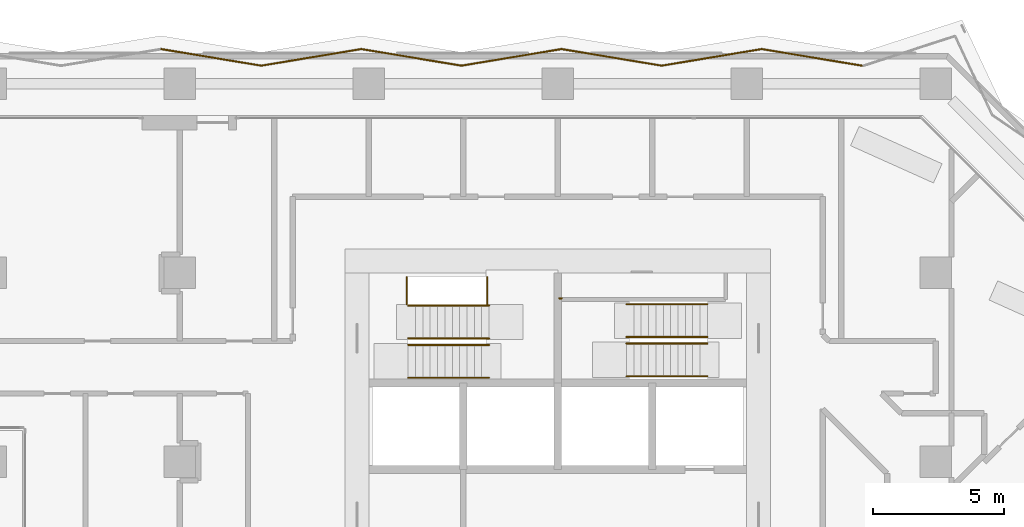
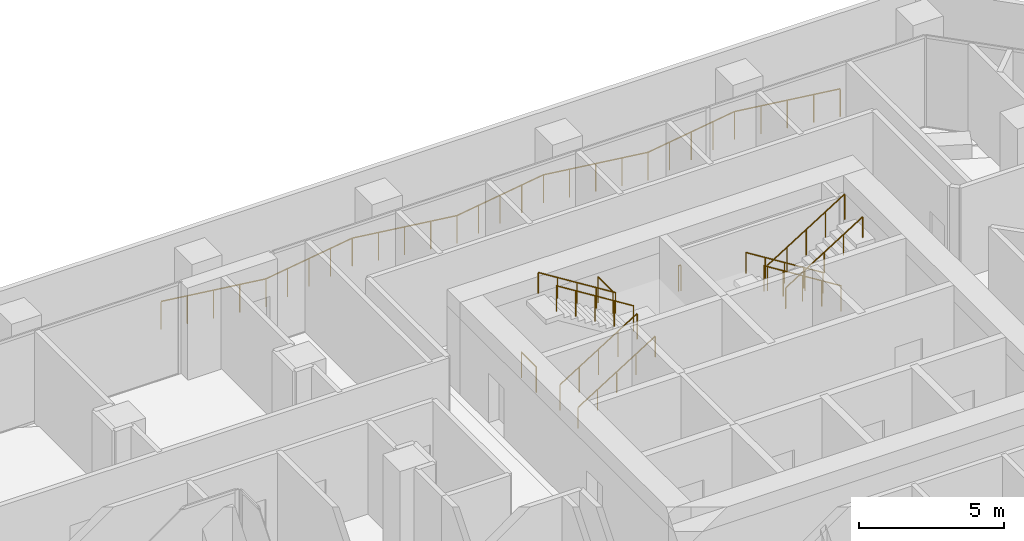
# One storey, part 21 of 24: 18 railings.
"""IFC4 building model written with IfcOpenShell, lengths in metres."""

from ifc_helpers import new_model, si_unit, direction, frame, origin, origin_2d, place, context, subcontext, project, spatial, circle, extrude, material, type_object, element, save


model = new_model("IFC4")

# Units and contexts
model_context = context("Model", 3, precision=1e-05, world=origin(), true_north=direction((0.0, 1.0)))
body_context = subcontext(model_context, "Body", "Model", "MODEL_VIEW")
ifc_project = project(units=[si_unit("LENGTHUNIT", "METRE"), si_unit("AREAUNIT", "SQUARE_METRE"), si_unit("VOLUMEUNIT", "CUBIC_METRE"), si_unit("PLANEANGLEUNIT", "RADIAN"), si_unit("MASSUNIT", "GRAM", prefix="KILO")], contexts=[model_context])

# Site, building, storey
site_placement = place(None, origin())
site = spatial("IfcSite", under=ifc_project, at=site_placement, CompositionType="ELEMENT")
building_placement = place(site_placement, origin())
building = spatial("IfcBuilding", under=site, at=building_placement, Name="Windrow Commons", CompositionType="ELEMENT")
storey_placement = place(building_placement, frame((0.0, 0.0, 67.8)))
storey = spatial("IfcBuildingStorey", under=building, at=storey_placement, Name="L18", CompositionType="ELEMENT", Elevation=67.8)

# Railings
ifc_material_1 = material(Name="Steel S355", Category="steel")
railing_type_1 = type_object("IfcRailingType", Name="Core stair guard 1100", PredefinedType="GUARDRAIL", material=ifc_material_1)
railing_1_placement = place(storey_placement, frame((59.1, 62.05, 0.175)))
element("IfcRailing", 1, at=railing_1_placement, inside=storey, type_object=railing_type_1, Name="L18 ST-A1 stair guard 1", PredefinedType="GUARDRAIL", context=body_context, shape_type="SweptSolid", body=[
    extrude(circle(Radius=0.024, at=origin_2d()), frame((0.0, 0.0, 1.076), z_axis=(0.847998304, 0.0, 0.52999894), x_axis=(0.0, 1.0, 0.0)), (0.0, 0.0, 1.0), 3.6321),
    extrude(circle(Radius=0.021, at=origin_2d()), origin(), (0.0, 0.0, 1.0), 1.052),
    extrude(circle(Radius=0.021, at=origin_2d()), frame((0.77, 0.0, 0.4813)), (0.0, 0.0, 1.0), 1.052),
    extrude(circle(Radius=0.021, at=origin_2d()), frame((1.54, 0.0, 0.9625)), (0.0, 0.0, 1.0), 1.052),
    extrude(circle(Radius=0.021, at=origin_2d()), frame((2.31, 0.0, 1.4438)), (0.0, 0.0, 1.0), 1.052),
    extrude(circle(Radius=0.021, at=origin_2d()), frame((3.08, 0.0, 1.925)), (0.0, 0.0, 1.0), 1.052),
])
railing_2_placement = place(storey_placement, frame((62.18, 62.3, 2.275)))
element("IfcRailing", 2, at=railing_2_placement, inside=storey, type_object=railing_type_1, Name="L18 ST-A1 stair guard 2", PredefinedType="GUARDRAIL", context=body_context, shape_type="SweptSolid", body=[
    extrude(circle(Radius=0.024, at=origin_2d()), frame((0.0, 0.0, 1.076), z_axis=(-0.847998304, 0.0, 0.52999894), x_axis=(0.0, -1.0, 0.0)), (0.0, 0.0, 1.0), 3.6321),
    extrude(circle(Radius=0.021, at=origin_2d()), origin(), (0.0, 0.0, 1.0), 1.052),
    extrude(circle(Radius=0.021, at=origin_2d()), frame((-0.77, 0.0, 0.4812)), (0.0, 0.0, 1.0), 1.052),
    extrude(circle(Radius=0.021, at=origin_2d()), frame((-1.54, 0.0, 0.9625)), (0.0, 0.0, 1.0), 1.052),
    extrude(circle(Radius=0.021, at=origin_2d()), frame((-2.31, 0.0, 1.4437)), (0.0, 0.0, 1.0), 1.052),
    extrude(circle(Radius=0.021, at=origin_2d()), frame((-3.08, 0.0, 1.925)), (0.0, 0.0, 1.0), 1.052),
])
for number, where, name in (
    (3, (59.05, 63.6, 0.0), "L18 ST-A1 stair guard 3"),
    (4, (62.11, 63.6, 2.1), "L18 ST-A1 stair guard 4"),
):
    element("IfcRailing", number, at=place(storey_placement, frame(where)), inside=storey, type_object=railing_type_1, Name=name, PredefinedType="GUARDRAIL", context=body_context, shape_type="SweptSolid", body=[
        extrude(circle(Radius=0.024, at=origin_2d()), frame((0.0, 0.0, 1.076), z_axis=(0.0, 1.0, 0.0), x_axis=(-1.0, 0.0, 0.0)), (0.0, 0.0, 1.0), 1.03),
        extrude(circle(Radius=0.021, at=origin_2d()), origin(), (0.0, 0.0, 1.0), 1.052),
        extrude(circle(Radius=0.021, at=origin_2d()), frame((0.0, 1.03, 0.0)), (0.0, 0.0, 1.0), 1.052),
    ])
railing_3_placement = place(storey_placement, frame((70.5, 62.355, 0.175)))
element("IfcRailing", 5, at=railing_3_placement, inside=storey, type_object=railing_type_1, Name="L18 ST-A2 stair guard 1", PredefinedType="GUARDRAIL", context=body_context, shape_type="SweptSolid", body=[
    extrude(circle(Radius=0.024, at=origin_2d()), frame((0.0, 0.0, 1.076), z_axis=(-0.847998304, 0.0, 0.52999894), x_axis=(0.0, -1.0, 0.0)), (0.0, 0.0, 1.0), 3.6321),
    extrude(circle(Radius=0.021, at=origin_2d()), origin(), (0.0, 0.0, 1.0), 1.052),
    extrude(circle(Radius=0.021, at=origin_2d()), frame((-0.77, 0.0, 0.4813)), (0.0, 0.0, 1.0), 1.052),
    extrude(circle(Radius=0.021, at=origin_2d()), frame((-1.54, 0.0, 0.9625)), (0.0, 0.0, 1.0), 1.052),
    extrude(circle(Radius=0.021, at=origin_2d()), frame((-2.31, 0.0, 1.4438)), (0.0, 0.0, 1.0), 1.052),
    extrude(circle(Radius=0.021, at=origin_2d()), frame((-3.08, 0.0, 1.925)), (0.0, 0.0, 1.0), 1.052),
])
railing_4_placement = place(storey_placement, frame((67.42, 62.105, 2.275)))
element("IfcRailing", 6, at=railing_4_placement, inside=storey, type_object=railing_type_1, Name="L18 ST-A2 stair guard 2", PredefinedType="GUARDRAIL", context=body_context, shape_type="SweptSolid", body=[
    extrude(circle(Radius=0.024, at=origin_2d()), frame((0.0, 0.0, 1.076), z_axis=(0.847998304, 0.0, 0.52999894), x_axis=(0.0, 1.0, 0.0)), (0.0, 0.0, 1.0), 3.6321),
    extrude(circle(Radius=0.021, at=origin_2d()), origin(), (0.0, 0.0, 1.0), 1.052),
    extrude(circle(Radius=0.021, at=origin_2d()), frame((0.77, 0.0, 0.4812)), (0.0, 0.0, 1.0), 1.052),
    extrude(circle(Radius=0.021, at=origin_2d()), frame((1.54, 0.0, 0.9625)), (0.0, 0.0, 1.0), 1.052),
    extrude(circle(Radius=0.021, at=origin_2d()), frame((2.31, 0.0, 1.4437)), (0.0, 0.0, 1.0), 1.052),
    extrude(circle(Radius=0.021, at=origin_2d()), frame((3.08, 0.0, 1.925)), (0.0, 0.0, 1.0), 1.052),
])
railing_5_placement = place(storey_placement, frame((64.95, 63.825, 2.1)))
element("IfcRailing", 7, at=railing_5_placement, inside=storey, type_object=railing_type_1, Name="L18 ST-A2 stair guard 3", PredefinedType="GUARDRAIL", context=body_context, shape_type="SweptSolid", body=[
    extrude(circle(Radius=0.024, at=origin_2d()), frame((0.0, 0.0, 1.076), z_axis=(-1.0, 0.0, 0.0), x_axis=(0.0, -1.0, 0.0)), (0.0, 0.0, 1.0), 0.1),
    extrude(circle(Radius=0.021, at=origin_2d()), origin(), (0.0, 0.0, 1.0), 1.052),
    extrude(circle(Radius=0.021, at=origin_2d()), frame((-0.1, 0.0, 0.0)), (0.0, 0.0, 1.0), 1.052),
])
ifc_material_2 = material(Name="Steel S355", Category="steel")
railing_type_2 = type_object("IfcRailingType", Name="Core stair handrail 900", PredefinedType="HANDRAIL", material=ifc_material_2)
railing_6_placement = place(storey_placement, frame((59.1, 60.8, 0.175)))
element("IfcRailing", 8, at=railing_6_placement, inside=storey, type_object=railing_type_2, Name="L18 ST-A1 stair handrail 1", PredefinedType="HANDRAIL", context=body_context, shape_type="SweptSolid", body=[
    extrude(circle(Radius=0.024, at=origin_2d()), frame((0.0, 0.0, 0.876), z_axis=(0.847998304, 0.0, 0.52999894), x_axis=(0.0, 1.0, 0.0)), (0.0, 0.0, 1.0), 3.6321),
    extrude(circle(Radius=0.021, at=origin_2d()), origin(), (0.0, 0.0, 1.0), 0.852),
    extrude(circle(Radius=0.021, at=origin_2d()), frame((0.77, 0.0, 0.4813)), (0.0, 0.0, 1.0), 0.852),
    extrude(circle(Radius=0.021, at=origin_2d()), frame((1.54, 0.0, 0.9625)), (0.0, 0.0, 1.0), 0.852),
    extrude(circle(Radius=0.021, at=origin_2d()), frame((2.31, 0.0, 1.4438)), (0.0, 0.0, 1.0), 0.852),
    extrude(circle(Radius=0.021, at=origin_2d()), frame((3.08, 0.0, 1.925)), (0.0, 0.0, 1.0), 0.852),
])
railing_7_placement = place(storey_placement, frame((62.18, 63.55, 2.275)))
element("IfcRailing", 9, at=railing_7_placement, inside=storey, type_object=railing_type_2, Name="L18 ST-A1 stair handrail 2", PredefinedType="HANDRAIL", context=body_context, shape_type="SweptSolid", body=[
    extrude(circle(Radius=0.024, at=origin_2d()), frame((0.0, 0.0, 0.876), z_axis=(-0.847998304, 0.0, 0.52999894), x_axis=(0.0, -1.0, 0.0)), (0.0, 0.0, 1.0), 3.6321),
    extrude(circle(Radius=0.021, at=origin_2d()), origin(), (0.0, 0.0, 1.0), 0.852),
    extrude(circle(Radius=0.021, at=origin_2d()), frame((-0.77, 0.0, 0.4812)), (0.0, 0.0, 1.0), 0.852),
    extrude(circle(Radius=0.021, at=origin_2d()), frame((-1.54, 0.0, 0.9625)), (0.0, 0.0, 1.0), 0.852),
    extrude(circle(Radius=0.021, at=origin_2d()), frame((-2.31, 0.0, 1.4437)), (0.0, 0.0, 1.0), 0.852),
    extrude(circle(Radius=0.021, at=origin_2d()), frame((-3.08, 0.0, 1.925)), (0.0, 0.0, 1.0), 0.852),
])
railing_8_placement = place(storey_placement, frame((70.5, 63.605, 0.175)))
element("IfcRailing", 10, at=railing_8_placement, inside=storey, type_object=railing_type_2, Name="L18 ST-A2 stair handrail 1", PredefinedType="HANDRAIL", context=body_context, shape_type="SweptSolid", body=[
    extrude(circle(Radius=0.024, at=origin_2d()), frame((0.0, 0.0, 0.876), z_axis=(-0.847998304, 0.0, 0.52999894), x_axis=(0.0, -1.0, 0.0)), (0.0, 0.0, 1.0), 3.6321),
    extrude(circle(Radius=0.021, at=origin_2d()), origin(), (0.0, 0.0, 1.0), 0.852),
    extrude(circle(Radius=0.021, at=origin_2d()), frame((-0.77, 0.0, 0.4813)), (0.0, 0.0, 1.0), 0.852),
    extrude(circle(Radius=0.021, at=origin_2d()), frame((-1.54, 0.0, 0.9625)), (0.0, 0.0, 1.0), 0.852),
    extrude(circle(Radius=0.021, at=origin_2d()), frame((-2.31, 0.0, 1.4438)), (0.0, 0.0, 1.0), 0.852),
    extrude(circle(Radius=0.021, at=origin_2d()), frame((-3.08, 0.0, 1.925)), (0.0, 0.0, 1.0), 0.852),
])
railing_9_placement = place(storey_placement, frame((67.42, 60.855, 2.275)))
element("IfcRailing", 11, at=railing_9_placement, inside=storey, type_object=railing_type_2, Name="L18 ST-A2 stair handrail 2", PredefinedType="HANDRAIL", context=body_context, shape_type="SweptSolid", body=[
    extrude(circle(Radius=0.024, at=origin_2d()), frame((0.0, 0.0, 0.876), z_axis=(0.847998304, 0.0, 0.52999894), x_axis=(0.0, 1.0, 0.0)), (0.0, 0.0, 1.0), 3.6321),
    extrude(circle(Radius=0.021, at=origin_2d()), origin(), (0.0, 0.0, 1.0), 0.852),
    extrude(circle(Radius=0.021, at=origin_2d()), frame((0.77, 0.0, 0.4812)), (0.0, 0.0, 1.0), 0.852),
    extrude(circle(Radius=0.021, at=origin_2d()), frame((1.54, 0.0, 0.9625)), (0.0, 0.0, 1.0), 0.852),
    extrude(circle(Radius=0.021, at=origin_2d()), frame((2.31, 0.0, 1.4437)), (0.0, 0.0, 1.0), 0.852),
    extrude(circle(Radius=0.021, at=origin_2d()), frame((3.08, 0.0, 1.925)), (0.0, 0.0, 1.0), 0.852),
])
ifc_material_3 = material(Name="Stainless steel S316 balustrade with toughened glass infill", Category="steel")
railing_type_3 = type_object("IfcRailingType", Name="Terrace guard 1200 podium", PredefinedType="BALUSTRADE", material=ifc_material_3)
railing_10_placement = place(storey_placement, frame((49.6853, 73.3262, 0.05)))
element("IfcRailing", 12, at=railing_10_placement, inside=storey, type_object=railing_type_3, Name="Guard TR-L18-1.E30", PredefinedType="BALUSTRADE", context=body_context, shape_type="SweptSolid", body=[
    extrude(circle(Radius=0.025, at=origin_2d()), frame((0.0, 0.0, 1.175), z_axis=(0.9865110911, -0.1636944324, 0.0), x_axis=(0.1636944324, 0.9865110911, 0.0)), (0.0, 0.0, 1.0), 3.867),
    extrude(circle(Radius=0.02, at=origin_2d()), origin(), (0.0, 0.0, 1.0), 1.15),
    extrude(circle(Radius=0.02, at=origin_2d()), frame((0.9537, -0.1582, 0.0)), (0.0, 0.0, 1.0), 1.15),
    extrude(circle(Radius=0.02, at=origin_2d()), frame((1.9074, -0.3165, 0.0)), (0.0, 0.0, 1.0), 1.15),
    extrude(circle(Radius=0.02, at=origin_2d()), frame((2.8611, -0.4747, 0.0)), (0.0, 0.0, 1.0), 1.15),
    extrude(circle(Radius=0.02, at=origin_2d()), frame((3.8148, -0.633, 0.0)), (0.0, 0.0, 1.0), 1.15),
])
railing_11_placement = place(storey_placement, frame((53.5001, 72.6932, 0.05)))
element("IfcRailing", 13, at=railing_11_placement, inside=storey, type_object=railing_type_3, Name="Guard TR-L18-1.E31", PredefinedType="BALUSTRADE", context=body_context, shape_type="SweptSolid", body=[
    extrude(circle(Radius=0.025, at=origin_2d()), frame((0.0, 0.0, 1.175), z_axis=(0.9865110911, 0.1636944324, 0.0), x_axis=(-0.1636944324, 0.9865110911, 0.0)), (0.0, 0.0, 1.0), 3.867),
    extrude(circle(Radius=0.02, at=origin_2d()), origin(), (0.0, 0.0, 1.0), 1.15),
    extrude(circle(Radius=0.02, at=origin_2d()), frame((0.9537, 0.1582, 0.0)), (0.0, 0.0, 1.0), 1.15),
    extrude(circle(Radius=0.02, at=origin_2d()), frame((1.9074, 0.3165, 0.0)), (0.0, 0.0, 1.0), 1.15),
    extrude(circle(Radius=0.02, at=origin_2d()), frame((2.8611, 0.4747, 0.0)), (0.0, 0.0, 1.0), 1.15),
    extrude(circle(Radius=0.02, at=origin_2d()), frame((3.8148, 0.633, 0.0)), (0.0, 0.0, 1.0), 1.15),
])
railing_12_placement = place(storey_placement, frame((57.3149, 73.3262, 0.05)))
element("IfcRailing", 14, at=railing_12_placement, inside=storey, type_object=railing_type_3, Name="Guard TR-L18-1.E32", PredefinedType="BALUSTRADE", context=body_context, shape_type="SweptSolid", body=[
    extrude(circle(Radius=0.025, at=origin_2d()), frame((0.0, 0.0, 1.175), z_axis=(0.9865110911, -0.1636944324, 0.0), x_axis=(0.1636944324, 0.9865110911, 0.0)), (0.0, 0.0, 1.0), 3.867),
    extrude(circle(Radius=0.02, at=origin_2d()), origin(), (0.0, 0.0, 1.0), 1.15),
    extrude(circle(Radius=0.02, at=origin_2d()), frame((0.9537, -0.1582, 0.0)), (0.0, 0.0, 1.0), 1.15),
    extrude(circle(Radius=0.02, at=origin_2d()), frame((1.9074, -0.3165, 0.0)), (0.0, 0.0, 1.0), 1.15),
    extrude(circle(Radius=0.02, at=origin_2d()), frame((2.8611, -0.4747, 0.0)), (0.0, 0.0, 1.0), 1.15),
    extrude(circle(Radius=0.02, at=origin_2d()), frame((3.8148, -0.633, 0.0)), (0.0, 0.0, 1.0), 1.15),
])
railing_13_placement = place(storey_placement, frame((61.1297, 72.6932, 0.05)))
element("IfcRailing", 15, at=railing_13_placement, inside=storey, type_object=railing_type_3, Name="Guard TR-L18-1.E33", PredefinedType="BALUSTRADE", context=body_context, shape_type="SweptSolid", body=[
    extrude(circle(Radius=0.025, at=origin_2d()), frame((0.0, 0.0, 1.175), z_axis=(0.9865103981, 0.1636986085, 0.0), x_axis=(-0.1636986085, 0.9865103981, 0.0)), (0.0, 0.0, 1.0), 3.8669),
    extrude(circle(Radius=0.02, at=origin_2d()), origin(), (0.0, 0.0, 1.0), 1.15),
    extrude(circle(Radius=0.02, at=origin_2d()), frame((0.9537, 0.1582, 0.0)), (0.0, 0.0, 1.0), 1.15),
    extrude(circle(Radius=0.02, at=origin_2d()), frame((1.9074, 0.3165, 0.0)), (0.0, 0.0, 1.0), 1.15),
    extrude(circle(Radius=0.02, at=origin_2d()), frame((2.861, 0.4747, 0.0)), (0.0, 0.0, 1.0), 1.15),
    extrude(circle(Radius=0.02, at=origin_2d()), frame((3.8147, 0.633, 0.0)), (0.0, 0.0, 1.0), 1.15),
])
railing_14_placement = place(storey_placement, frame((64.9444, 73.3262, 0.05)))
element("IfcRailing", 16, at=railing_14_placement, inside=storey, type_object=railing_type_3, Name="Guard TR-L18-1.E34", PredefinedType="BALUSTRADE", context=body_context, shape_type="SweptSolid", body=[
    extrude(circle(Radius=0.025, at=origin_2d()), frame((0.0, 0.0, 1.175), z_axis=(0.9865110911, -0.1636944324, 0.0), x_axis=(0.1636944324, 0.9865110911, 0.0)), (0.0, 0.0, 1.0), 3.867),
    extrude(circle(Radius=0.02, at=origin_2d()), origin(), (0.0, 0.0, 1.0), 1.15),
    extrude(circle(Radius=0.02, at=origin_2d()), frame((0.9537, -0.1582, 0.0)), (0.0, 0.0, 1.0), 1.15),
    extrude(circle(Radius=0.02, at=origin_2d()), frame((1.9074, -0.3165, 0.0)), (0.0, 0.0, 1.0), 1.15),
    extrude(circle(Radius=0.02, at=origin_2d()), frame((2.8611, -0.4747, 0.0)), (0.0, 0.0, 1.0), 1.15),
    extrude(circle(Radius=0.02, at=origin_2d()), frame((3.8148, -0.633, 0.0)), (0.0, 0.0, 1.0), 1.15),
])
railing_15_placement = place(storey_placement, frame((68.7592, 72.6932, 0.05)))
element("IfcRailing", 17, at=railing_15_placement, inside=storey, type_object=railing_type_3, Name="Guard TR-L18-1.E35", PredefinedType="BALUSTRADE", context=body_context, shape_type="SweptSolid", body=[
    extrude(circle(Radius=0.025, at=origin_2d()), frame((0.0, 0.0, 1.175), z_axis=(0.9865110911, 0.1636944324, 0.0), x_axis=(-0.1636944324, 0.9865110911, 0.0)), (0.0, 0.0, 1.0), 3.867),
    extrude(circle(Radius=0.02, at=origin_2d()), origin(), (0.0, 0.0, 1.0), 1.15),
    extrude(circle(Radius=0.02, at=origin_2d()), frame((0.9537, 0.1582, 0.0)), (0.0, 0.0, 1.0), 1.15),
    extrude(circle(Radius=0.02, at=origin_2d()), frame((1.9074, 0.3165, 0.0)), (0.0, 0.0, 1.0), 1.15),
    extrude(circle(Radius=0.02, at=origin_2d()), frame((2.8611, 0.4747, 0.0)), (0.0, 0.0, 1.0), 1.15),
    extrude(circle(Radius=0.02, at=origin_2d()), frame((3.8148, 0.633, 0.0)), (0.0, 0.0, 1.0), 1.15),
])
railing_16_placement = place(storey_placement, frame((72.574, 73.3262, 0.05)))
element("IfcRailing", 18, at=railing_16_placement, inside=storey, type_object=railing_type_3, Name="Guard TR-L18-1.E36", PredefinedType="BALUSTRADE", context=body_context, shape_type="SweptSolid", body=[
    extrude(circle(Radius=0.025, at=origin_2d()), frame((0.0, 0.0, 1.175), z_axis=(0.9865078672, -0.1637138598, 0.0), x_axis=(0.1637138598, 0.9865078672, 0.0)), (0.0, 0.0, 1.0), 3.9056),
    extrude(circle(Radius=0.02, at=origin_2d()), origin(), (0.0, 0.0, 1.0), 1.15),
    extrude(circle(Radius=0.02, at=origin_2d()), frame((0.9632, -0.1598, 0.0)), (0.0, 0.0, 1.0), 1.15),
    extrude(circle(Radius=0.02, at=origin_2d()), frame((1.9265, -0.3197, 0.0)), (0.0, 0.0, 1.0), 1.15),
    extrude(circle(Radius=0.02, at=origin_2d()), frame((2.8897, -0.4795, 0.0)), (0.0, 0.0, 1.0), 1.15),
    extrude(circle(Radius=0.02, at=origin_2d()), frame((3.8529, -0.6394, 0.0)), (0.0, 0.0, 1.0), 1.15),
])

save(model, "model.ifc")
